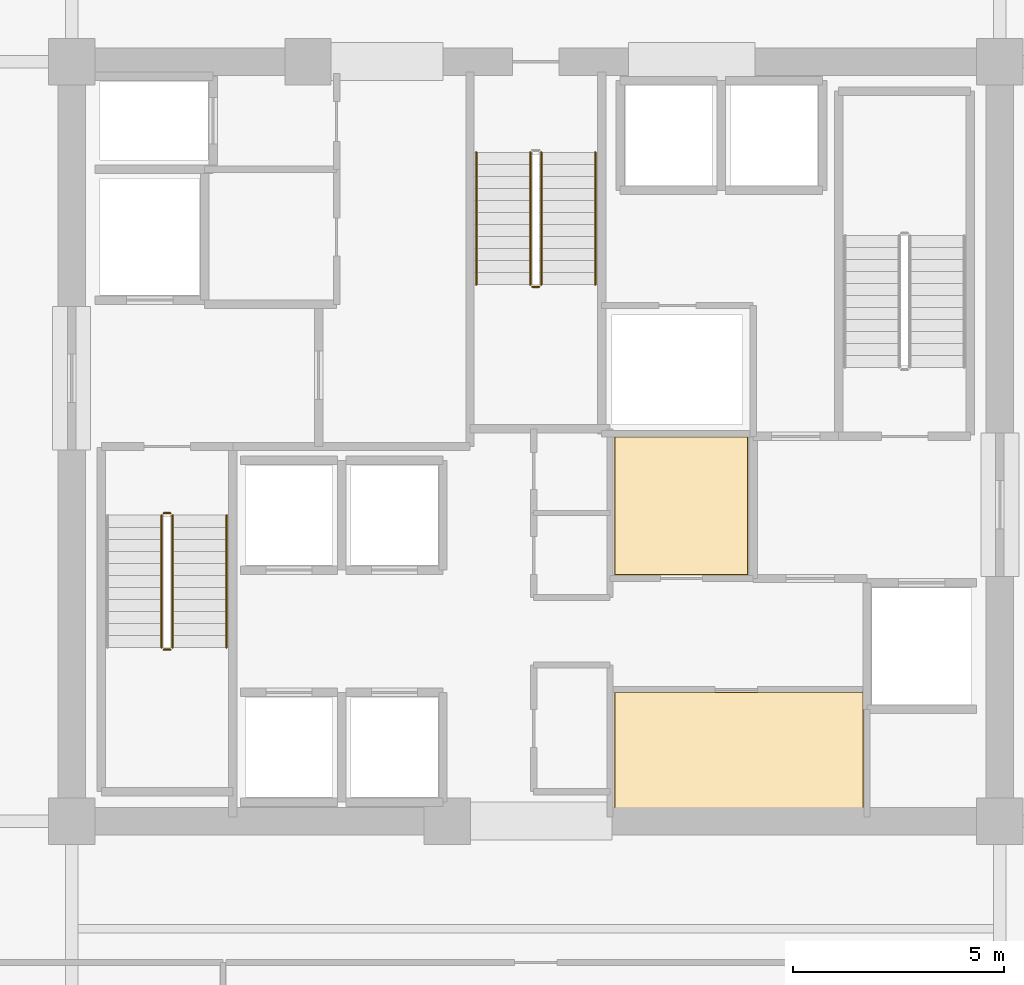
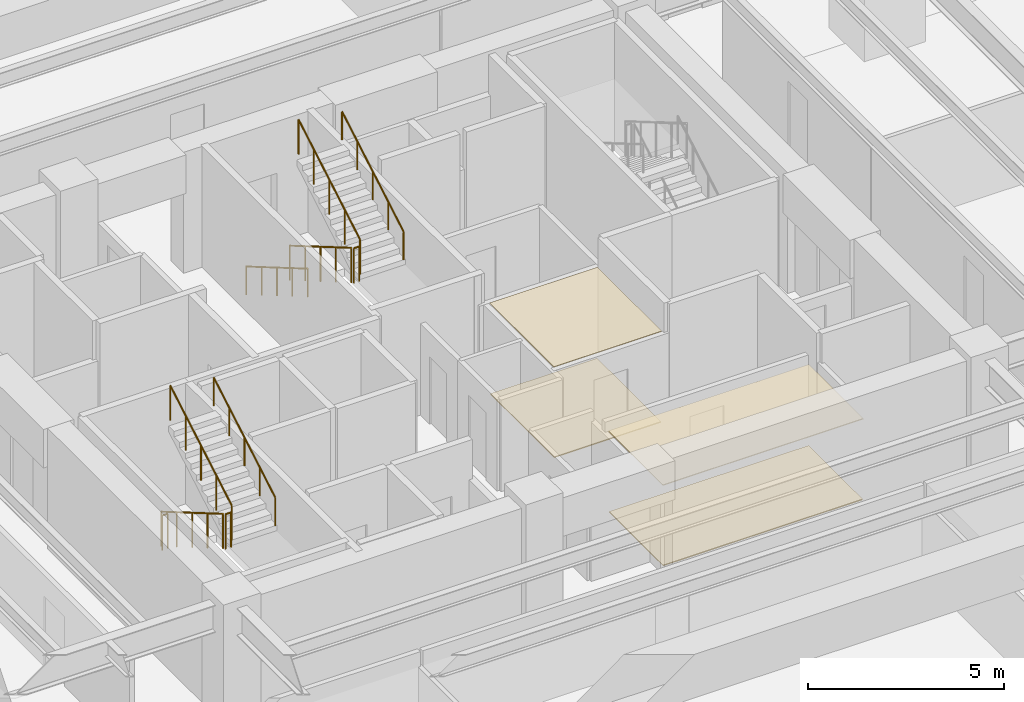
# One storey, part 22 of 25: 10 railings, 4 coverings.
"""IFC4 building model written with IfcOpenShell, lengths in metres."""

from ifc_helpers import new_model, si_unit, direction, frame, origin, origin_2d, place, context, subcontext, project, spatial, polyline, circle, outline, extrude, material, layer, layer_set, type_object, element, save


model = new_model("IFC4")

# Units and contexts
model_context = context("Model", 3, precision=1e-05, world=origin(), true_north=direction((0.0, 1.0)))
body_context = subcontext(model_context, "Body", "Model", "MODEL_VIEW")
ifc_project = project(units=[si_unit("LENGTHUNIT", "METRE"), si_unit("AREAUNIT", "SQUARE_METRE"), si_unit("VOLUMEUNIT", "CUBIC_METRE"), si_unit("PLANEANGLEUNIT", "RADIAN"), si_unit("MASSUNIT", "GRAM", prefix="KILO")], contexts=[model_context])

# Site, building, storey
site_placement = place(None, origin())
site = spatial("IfcSite", under=ifc_project, at=site_placement, CompositionType="ELEMENT")
building_placement = place(site_placement, origin())
building = spatial("IfcBuilding", under=site, at=building_placement, Name="Kovane Verandah Tower", CompositionType="ELEMENT")
storey_placement = place(building_placement, frame((0.0, 0.0, 67.60009765625)))
storey = spatial("IfcBuildingStorey", under=building, at=storey_placement, Name="L15", CompositionType="ELEMENT", Elevation=67.60009765625)

# Coverings
ifc_material_1 = material(Name="Perforated Acoustic Mineral-Fibre Ceiling Tile", Category="gypsum")
ifc_layer_1 = layer(ifc_material_1, 0.02490234375)
ifc_layer_set_1 = layer_set([ifc_layer_1], Name="Perforated Acoustic Mineral-Fibre Ceiling Tile")
covering_type_1 = type_object("IfcCoveringType", Name="CV-CEIL-25", PredefinedType="CEILING", material=ifc_layer_set_1)
covering_1_placement = place(storey_placement, frame((0.0, 0.0, 2.514892578125)))
element("IfcCovering", 1, at=covering_1_placement, inside=storey, type_object=covering_type_1, Name="L15 Records Vault Room Acoustic Ceiling", PredefinedType="CEILING", context=body_context, shape_type="SweptSolid", body=[
    extrude(outline(polyline([(41.864990234375, 18.784912109375), (47.764892578125, 18.784912109375), (47.764892578125, 21.56494140625), (41.864990234375, 21.56494140625), (41.864990234375, 18.784912109375)])), origin(), (0.0, 0.0, 1.0), 0.02490234375),
])
covering_2_placement = place(storey_placement, frame((0.0, 0.0, 2.824951171875)))
element("IfcCovering", 2, at=covering_2_placement, inside=storey, type_object=covering_type_1, Name="L15 Document Archive Room Acoustic Ceiling", PredefinedType="CEILING", context=body_context, shape_type="SweptSolid", body=[
    extrude(outline(polyline([(41.864990234375, 24.3349609375), (45.034912109375, 24.3349609375), (45.034912109375, 27.614990234375), (41.864990234375, 27.614990234375), (41.864990234375, 24.3349609375)])), origin(), (0.0, 0.0, 1.0), 0.02490234375),
])
ifc_material_2 = material(Name="Polished Terrazzo and Raised-Access Carpet Tile Finish", Category="concrete")
ifc_layer_2 = layer(ifc_material_2, 0.030029296875)
ifc_layer_set_2 = layer_set([ifc_layer_2], Name="Polished Terrazzo and Raised-Access Carpet Tile Finish")
covering_type_2 = type_object("IfcCoveringType", Name="CV-FLOR-30", PredefinedType="FLOORING", material=ifc_layer_set_2)
covering_3_placement = place(storey_placement, origin())
element("IfcCovering", 3, at=covering_3_placement, inside=storey, type_object=covering_type_2, Name="L15 Records Vault Room Floor Finish", PredefinedType="FLOORING", context=body_context, shape_type="SweptSolid", body=[
    extrude(outline(polyline([(41.8798828125, 18.800048828125), (47.75, 18.800048828125), (47.75, 21.550048828125), (41.8798828125, 21.550048828125), (41.8798828125, 18.800048828125)])), origin(), (0.0, 0.0, 1.0), 0.02978515625),
])
covering_4_placement = place(storey_placement, origin())
element("IfcCovering", 4, at=covering_4_placement, inside=storey, type_object=covering_type_2, Name="L15 Document Archive Room Floor Finish", PredefinedType="FLOORING", context=body_context, shape_type="SweptSolid", body=[
    extrude(outline(polyline([(41.8798828125, 24.35009765625), (45.02001953125, 24.35009765625), (45.02001953125, 27.60009765625), (41.8798828125, 27.60009765625), (41.8798828125, 24.35009765625)])), origin(), (0.0, 0.0, 1.0), 0.02978515625),
])

# Railings
ifc_material_3 = material(Name="Brushed Stainless Steel Handrail", Category="steel")
railing_type_1 = type_object("IfcRailingType", Name="RL-HAND-920", PredefinedType="HANDRAIL", material=ifc_material_3)
railing_1_placement = place(storey_placement, frame((32.669921875, 22.614990234375, 2.16650390625)))
element("IfcRailing", 5, at=railing_1_placement, inside=storey, type_object=railing_type_1, Name="L15 ST-01 stair handrail 2", PredefinedType="HANDRAIL", context=body_context, shape_type="SweptSolid", body=[
    extrude(circle(Radius=0.02392578125, at=origin_2d()), frame((0.0, 0.0, 0.8759765625), z_axis=(0.0, 0.863210265497, 0.504844567704), x_axis=(-1.0, 0.0, 0.0)), (0.0, 0.0, 1.0), 3.6318359375),
    extrude(circle(Radius=0.02099609375, at=origin_2d()), origin(), (0.0, 0.0, 1.0), 0.851806640625),
    extrude(circle(Radius=0.02099609375, at=origin_2d()), frame((0.0, 0.78369140625, 0.45849609375)), (0.0, 0.0, 1.0), 0.851806640625),
    extrude(circle(Radius=0.02099609375, at=origin_2d()), frame((0.0, 1.5673828125, 0.916748046875)), (0.0, 0.0, 1.0), 0.851806640625),
    extrude(circle(Radius=0.02099609375, at=origin_2d()), frame((0.0, 2.351318359375, 1.375)), (0.0, 0.0, 1.0), 0.851806640625),
    extrude(circle(Radius=0.02099609375, at=origin_2d()), frame((0.0, 3.135009765625, 1.83349609375)), (0.0, 0.0, 1.0), 0.851806640625),
])
railing_2_placement = place(storey_placement, frame((38.590087890625, 34.35009765625, 0.16650390625)))
element("IfcRailing", 6, at=railing_2_placement, inside=storey, type_object=railing_type_1, Name="L15 ST-03 stair handrail 1", PredefinedType="HANDRAIL", context=body_context, shape_type="SweptSolid", body=[
    extrude(circle(Radius=0.02392578125, at=origin_2d()), frame((0.0, 0.0, 0.8759765625), z_axis=(0.0, -0.863210265497, 0.504844567704), x_axis=(1.0, 0.0, 0.0)), (0.0, 0.0, 1.0), 3.6318359375),
    extrude(circle(Radius=0.02099609375, at=origin_2d()), origin(), (0.0, 0.0, 1.0), 0.851806640625),
    extrude(circle(Radius=0.02099609375, at=origin_2d()), frame((0.0, -0.78369140625, 0.45849609375)), (0.0, 0.0, 1.0), 0.851806640625),
    extrude(circle(Radius=0.02099609375, at=origin_2d()), frame((0.0, -1.5673828125, 0.916748046875)), (0.0, 0.0, 1.0), 0.851806640625),
    extrude(circle(Radius=0.02099609375, at=origin_2d()), frame((0.0, -2.351318359375, 1.375)), (0.0, 0.0, 1.0), 0.851806640625),
    extrude(circle(Radius=0.02099609375, at=origin_2d()), frame((0.0, -3.135009765625, 1.83349609375)), (0.0, 0.0, 1.0), 0.851806640625),
])
railing_3_placement = place(storey_placement, frame((41.409912109375, 31.215087890625, 2.16650390625)))
element("IfcRailing", 7, at=railing_3_placement, inside=storey, type_object=railing_type_1, Name="L15 ST-03 stair handrail 2", PredefinedType="HANDRAIL", context=body_context, shape_type="SweptSolid", body=[
    extrude(circle(Radius=0.02392578125, at=origin_2d()), frame((0.0, 0.0, 0.8759765625), z_axis=(0.0, 0.863210265497, 0.504844567704), x_axis=(-1.0, 0.0, 0.0)), (0.0, 0.0, 1.0), 3.6318359375),
    extrude(circle(Radius=0.02099609375, at=origin_2d()), origin(), (0.0, 0.0, 1.0), 0.851806640625),
    extrude(circle(Radius=0.02099609375, at=origin_2d()), frame((0.0, 0.78369140625, 0.45849609375)), (0.0, 0.0, 1.0), 0.851806640625),
    extrude(circle(Radius=0.02099609375, at=origin_2d()), frame((0.0, 1.5673828125, 0.916748046875)), (0.0, 0.0, 1.0), 0.851806640625),
    extrude(circle(Radius=0.02099609375, at=origin_2d()), frame((0.0, 2.351318359375, 1.375)), (0.0, 0.0, 1.0), 0.851806640625),
    extrude(circle(Radius=0.02099609375, at=origin_2d()), frame((0.0, 3.135009765625, 1.83349609375)), (0.0, 0.0, 1.0), 0.851806640625),
])
ifc_material_4 = material(Name="Painted Steel Stairwell Guardrail", Category="steel")
railing_type_2 = type_object("IfcRailingType", Name="RL-STGUARD-1120", PredefinedType="GUARDRAIL", material=ifc_material_4)
railing_4_placement = place(storey_placement, frame((31.1298828125, 25.75, 0.16650390625)))
element("IfcRailing", 8, at=railing_4_placement, inside=storey, type_object=railing_type_2, Name="L15 ST-01 stair guard 1", PredefinedType="GUARDRAIL", context=body_context, shape_type="SweptSolid", body=[
    extrude(circle(Radius=0.02392578125, at=origin_2d()), frame((0.0, 0.0, 1.076171875), z_axis=(0.0, -0.863210265497, 0.504844567704), x_axis=(1.0, 0.0, 0.0)), (0.0, 0.0, 1.0), 3.6318359375),
    extrude(circle(Radius=0.02099609375, at=origin_2d()), origin(), (0.0, 0.0, 1.0), 1.052001953125),
    extrude(circle(Radius=0.02099609375, at=origin_2d()), frame((0.0, -0.78369140625, 0.45849609375)), (0.0, 0.0, 1.0), 1.052001953125),
    extrude(circle(Radius=0.02099609375, at=origin_2d()), frame((0.0, -1.5673828125, 0.916748046875)), (0.0, 0.0, 1.0), 1.052001953125),
    extrude(circle(Radius=0.02099609375, at=origin_2d()), frame((0.0, -2.351318359375, 1.375)), (0.0, 0.0, 1.0), 1.052001953125),
    extrude(circle(Radius=0.02099609375, at=origin_2d()), frame((0.0, -3.135009765625, 1.83349609375)), (0.0, 0.0, 1.0), 1.052001953125),
])
railing_5_placement = place(storey_placement, frame((31.179931640625, 22.56494140625, 2.0)))
element("IfcRailing", 9, at=railing_5_placement, inside=storey, type_object=railing_type_2, Name="L15 ST-01 stair guard 2", PredefinedType="GUARDRAIL", context=body_context, shape_type="SweptSolid", body=[
    extrude(circle(Radius=0.02392578125, at=origin_2d()), frame((0.0, 0.0, 1.076171875), z_axis=(1.0, 0.0, 0.0), x_axis=(0.0, 1.0, 0.0)), (0.0, 0.0, 1.0), 0.16015625),
    extrude(circle(Radius=0.02099609375, at=origin_2d()), origin(), (0.0, 0.0, 1.0), 1.052001953125),
    extrude(circle(Radius=0.02099609375, at=origin_2d()), frame((0.16015625, 0.0, 0.0)), (0.0, 0.0, 1.0), 1.052001953125),
])
railing_6_placement = place(storey_placement, frame((31.389892578125, 22.614990234375, 2.16650390625)))
element("IfcRailing", 10, at=railing_6_placement, inside=storey, type_object=railing_type_2, Name="L15 ST-01 stair guard 3", PredefinedType="GUARDRAIL", context=body_context, shape_type="SweptSolid", body=[
    extrude(circle(Radius=0.02392578125, at=origin_2d()), frame((0.0, 0.0, 1.076171875), z_axis=(0.0, 0.863210265497, 0.504844567704), x_axis=(-1.0, 0.0, 0.0)), (0.0, 0.0, 1.0), 3.6318359375),
    extrude(circle(Radius=0.02099609375, at=origin_2d()), origin(), (0.0, 0.0, 1.0), 1.052001953125),
    extrude(circle(Radius=0.02099609375, at=origin_2d()), frame((0.0, 0.78369140625, 0.45849609375)), (0.0, 0.0, 1.0), 1.052001953125),
    extrude(circle(Radius=0.02099609375, at=origin_2d()), frame((0.0, 1.5673828125, 0.916748046875)), (0.0, 0.0, 1.0), 1.052001953125),
    extrude(circle(Radius=0.02099609375, at=origin_2d()), frame((0.0, 2.351318359375, 1.375)), (0.0, 0.0, 1.0), 1.052001953125),
    extrude(circle(Radius=0.02099609375, at=origin_2d()), frame((0.0, 3.135009765625, 1.83349609375)), (0.0, 0.0, 1.0), 1.052001953125),
])
railing_7_placement = place(storey_placement, frame((31.179931640625, 25.800048828125, 0.0)))
element("IfcRailing", 11, at=railing_7_placement, inside=storey, type_object=railing_type_2, Name="L15 ST-01 stair guard 4", PredefinedType="GUARDRAIL", context=body_context, shape_type="SweptSolid", body=[
    extrude(circle(Radius=0.02392578125, at=origin_2d()), frame((0.0, 0.0, 1.076171875), z_axis=(1.0, 0.0, 0.0), x_axis=(0.0, 1.0, 0.0)), (0.0, 0.0, 1.0), 0.16015625),
    extrude(circle(Radius=0.02099609375, at=origin_2d()), origin(), (0.0, 0.0, 1.0), 1.052001953125),
    extrude(circle(Radius=0.02099609375, at=origin_2d()), frame((0.16015625, 0.0, 0.0)), (0.0, 0.0, 1.0), 1.052001953125),
])
railing_8_placement = place(storey_placement, frame((39.8701171875, 34.35009765625, 0.16650390625)))
element("IfcRailing", 12, at=railing_8_placement, inside=storey, type_object=railing_type_2, Name="L15 ST-03 stair guard 1", PredefinedType="GUARDRAIL", context=body_context, shape_type="SweptSolid", body=[
    extrude(circle(Radius=0.02392578125, at=origin_2d()), frame((0.0, 0.0, 1.076171875), z_axis=(0.0, -0.863210265497, 0.504844567704), x_axis=(1.0, 0.0, 0.0)), (0.0, 0.0, 1.0), 3.6318359375),
    extrude(circle(Radius=0.02099609375, at=origin_2d()), origin(), (0.0, 0.0, 1.0), 1.052001953125),
    extrude(circle(Radius=0.02099609375, at=origin_2d()), frame((0.0, -0.78369140625, 0.45849609375)), (0.0, 0.0, 1.0), 1.052001953125),
    extrude(circle(Radius=0.02099609375, at=origin_2d()), frame((0.0, -1.5673828125, 0.916748046875)), (0.0, 0.0, 1.0), 1.052001953125),
    extrude(circle(Radius=0.02099609375, at=origin_2d()), frame((0.0, -2.351318359375, 1.375)), (0.0, 0.0, 1.0), 1.052001953125),
    extrude(circle(Radius=0.02099609375, at=origin_2d()), frame((0.0, -3.135009765625, 1.83349609375)), (0.0, 0.0, 1.0), 1.052001953125),
])
railing_9_placement = place(storey_placement, frame((39.919921875, 31.1650390625, 2.0)))
element("IfcRailing", 13, at=railing_9_placement, inside=storey, type_object=railing_type_2, Name="L15 ST-03 stair guard 2", PredefinedType="GUARDRAIL", context=body_context, shape_type="SweptSolid", body=[
    extrude(circle(Radius=0.02392578125, at=origin_2d()), frame((0.0, 0.0, 1.076171875), z_axis=(1.0, 0.0, 0.0), x_axis=(0.0, 1.0, 0.0)), (0.0, 0.0, 1.0), 0.16015625),
    extrude(circle(Radius=0.02099609375, at=origin_2d()), origin(), (0.0, 0.0, 1.0), 1.052001953125),
    extrude(circle(Radius=0.02099609375, at=origin_2d()), frame((0.16015625, 0.0, 0.0)), (0.0, 0.0, 1.0), 1.052001953125),
])
railing_10_placement = place(storey_placement, frame((40.1298828125, 31.215087890625, 2.16650390625)))
element("IfcRailing", 14, at=railing_10_placement, inside=storey, type_object=railing_type_2, Name="L15 ST-03 stair guard 3", PredefinedType="GUARDRAIL", context=body_context, shape_type="SweptSolid", body=[
    extrude(circle(Radius=0.02392578125, at=origin_2d()), frame((0.0, 0.0, 1.076171875), z_axis=(0.0, 0.863210265497, 0.504844567704), x_axis=(-1.0, 0.0, 0.0)), (0.0, 0.0, 1.0), 3.6318359375),
    extrude(circle(Radius=0.02099609375, at=origin_2d()), origin(), (0.0, 0.0, 1.0), 1.052001953125),
    extrude(circle(Radius=0.02099609375, at=origin_2d()), frame((0.0, 0.78369140625, 0.45849609375)), (0.0, 0.0, 1.0), 1.052001953125),
    extrude(circle(Radius=0.02099609375, at=origin_2d()), frame((0.0, 1.5673828125, 0.916748046875)), (0.0, 0.0, 1.0), 1.052001953125),
    extrude(circle(Radius=0.02099609375, at=origin_2d()), frame((0.0, 2.351318359375, 1.375)), (0.0, 0.0, 1.0), 1.052001953125),
    extrude(circle(Radius=0.02099609375, at=origin_2d()), frame((0.0, 3.135009765625, 1.83349609375)), (0.0, 0.0, 1.0), 1.052001953125),
])

save(model, "model.ifc")
